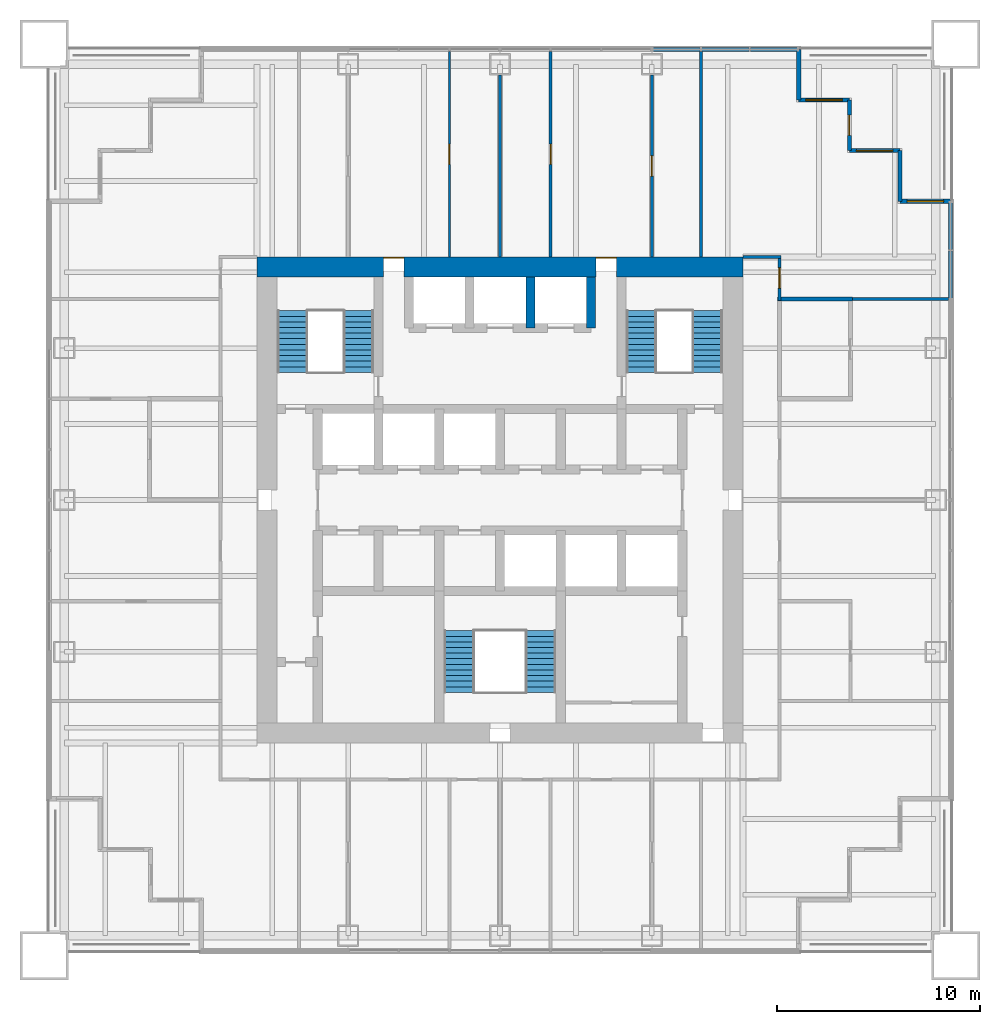
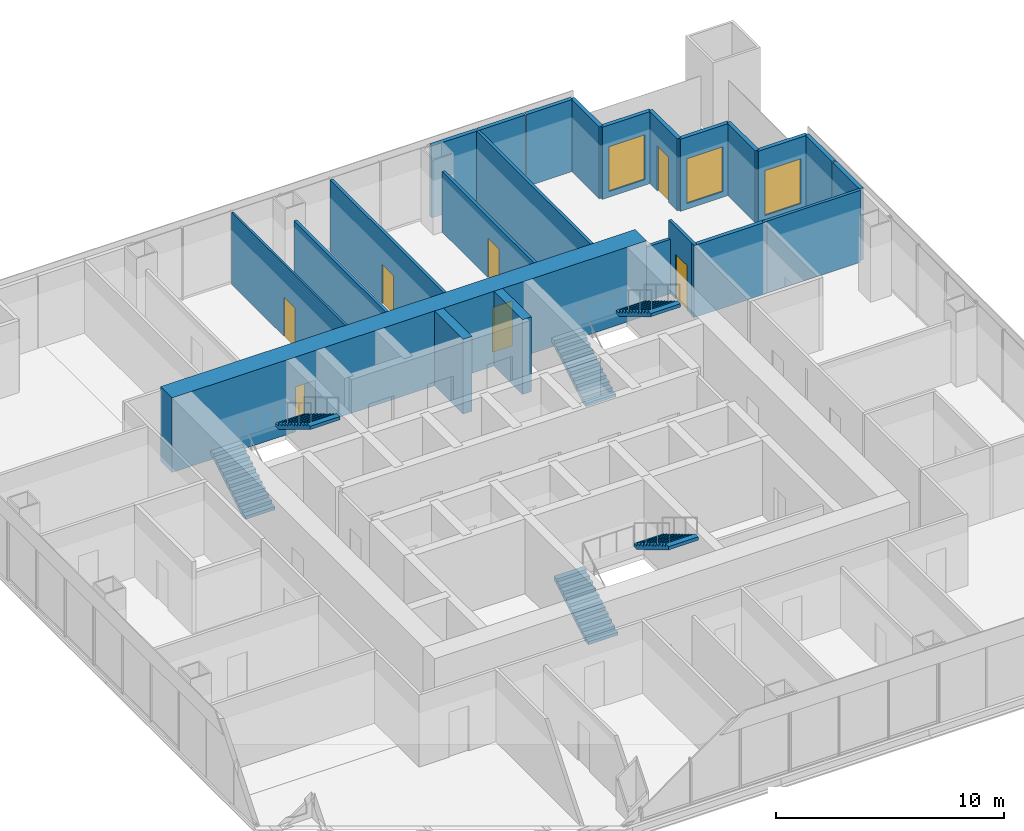
# One storey, part 11 of 13: 23 walls, 7 doors, 6 stair flights, 3 windows, 10 openings, 3 elements without a shape of their own.
"""IFC4 building model written with IfcOpenShell, lengths in metres."""

from ifc_helpers import new_model, si_unit, direction, frame, frame_2d, origin, place, context, subcontext, project, spatial, polyline, rectangle, outline, extrude, material, layer, layer_set, type_object, element, fill, aggregate, save


model = new_model("IFC4")

# Units and contexts
model_context = context("Model", 3, precision=1e-05, world=origin(), true_north=direction((0.0, 1.0)))
body_context = subcontext(model_context, "Body", "Model", "MODEL_VIEW")
ifc_project = project(units=[si_unit("LENGTHUNIT", "METRE"), si_unit("AREAUNIT", "SQUARE_METRE"), si_unit("VOLUMEUNIT", "CUBIC_METRE"), si_unit("PLANEANGLEUNIT", "RADIAN"), si_unit("MASSUNIT", "GRAM", prefix="KILO")], contexts=[model_context])

# Site, building, storey
site_placement = place(None, origin())
site = spatial("IfcSite", under=ifc_project, at=site_placement, CompositionType="ELEMENT")
building_placement = place(site_placement, origin())
building = spatial("IfcBuilding", under=site, at=building_placement, Name="Tarangal Relay Tower", CompositionType="ELEMENT")
storey_placement = place(building_placement, frame((0.0, 0.0, 185.89990234375)))
storey = spatial("IfcBuildingStorey", under=building, at=storey_placement, Name="L38", CompositionType="ELEMENT", Elevation=185.89990234375)

# Walls
ifc_material_1 = material(Name="Two layers gypsum board each side on twin steel studs, mineral wool", Category="steel")
ifc_layer_1 = layer(ifc_material_1, 0.199951171875)
ifc_layer_set_1 = layer_set([ifc_layer_1], Name="Acoustic partition 200")
wall_type_1 = type_object("IfcWallType", Name="Acoustic partition 200", PredefinedType="PARTITIONING", material=ifc_layer_set_1)
wall_1_placement = place(storey_placement, frame((13.699951171875, 9.9169921875, 0.0), z_axis=(0.0, 0.0, 1.0), x_axis=(1.0, 0.0, 0.0)))
element("IfcWall", 1, at=wall_1_placement, inside=storey, type_object=wall_type_1, Name="Partition PT2 L38", PredefinedType="PARTITIONING", context=body_context, shape_type="SweptSolid", body=[
    extrude(rectangle(XDim=3.699951171875, YDim=0.199951171875, at=frame_2d((1.85009765625, 0.0))), origin(), (0.0, 0.0, 1.0), 3.85009765625),
])
ifc_material_2 = material(Name="Concrete fc' 60 MPa", Category="concrete")
ifc_layer_2 = layer(ifc_material_2, 0.449951171875)
ifc_layer_set_2 = layer_set([ifc_layer_2], Name="Core inner wall 450")
wall_type_2 = type_object("IfcWallType", Name="Core inner wall 450", PredefinedType="SHEAR", material=ifc_layer_set_2)
for number, where, z_axis, x_axis, name in (
    (2, (4.5, 8.5, 0.0), (0.0, 0.0, 1.0), (0.0, 1.0, 0.0), "Core wall X45 L38"),
    (3, (1.5, 8.5, 0.0), (0.0, 0.0, 1.0), (0.0, 1.0, 0.0), "Core wall X15 L38"),
):
    element("IfcWall", number, at=place(storey_placement, frame(where, z_axis=z_axis, x_axis=x_axis)), inside=storey, type_object=wall_type_2, Name=name, PredefinedType="SHEAR", context=body_context, shape_type="SweptSolid", body=[
        extrude(rectangle(XDim=2.5, YDim=0.449951171875, at=frame_2d((1.25, 0.0))), origin(), (0.0, 0.0, 1.0), 4.0),
    ])

# Wall, openings, doors
ifc_layer_3 = layer(ifc_material_2, 1.0)
ifc_layer_set_3 = layer_set([ifc_layer_3], Name="Core wall 1000")
wall_type_3 = type_object("IfcWallType", Name="Core wall 1000", PredefinedType="SHEAR", material=ifc_layer_set_3)
wall_2_placement = place(storey_placement, frame((-12.0, 11.5, 0.0), z_axis=(0.0, 0.0, 1.0), x_axis=(1.0, 0.0, 0.0)))
wall_2 = element("IfcWall", 4, at=wall_2_placement, inside=storey, type_object=wall_type_3, Name="Core wall N L38", PredefinedType="SHEAR", context=body_context, shape_type="SweptSolid", body=[
    extrude(rectangle(XDim=24.0, YDim=1.0, at=frame_2d((12.0, 0.0))), origin(), (0.0, 0.0, 1.0), 4.0),
])
opening_1_placement = place(wall_2_placement, frame((6.25, 0.0, 0.0)))
opening_1 = element("IfcOpeningElement", 5, at=opening_1_placement, cuts=wall_2, Name="Opening FD3", PredefinedType="OPENING", context=body_context, shape_type="SweptSolid", body=[
    extrude(rectangle(XDim=1.0, YDim=2.39990234375, at=frame_2d((0.5, 1.199951171875))), frame((0.0, 0.510009765625, 0.0), z_axis=(0.0, -1.0, 0.0), x_axis=(1.0, 0.0, 0.0)), (0.0, 0.0, 1.0), 1.02001953125),
])
opening_2_placement = place(wall_2_placement, frame((16.75, 0.0, 0.0)))
opening_2 = element("IfcOpeningElement", 6, at=opening_2_placement, cuts=wall_2, Name="Opening FD3", PredefinedType="OPENING", context=body_context, shape_type="SweptSolid", body=[
    extrude(rectangle(XDim=1.0, YDim=2.39990234375, at=frame_2d((0.5, 1.199951171875))), frame((0.0, 0.510009765625, 0.0), z_axis=(0.0, -1.0, 0.0), x_axis=(1.0, 0.0, 0.0)), (0.0, 0.0, 1.0), 1.02001953125),
])
ifc_material_3 = material(Name="Steel door with hardwood frame", Category="steel")
door_type_1 = type_object("IfcDoorType", Name="Fire door 1000 x 2400 core entry", OperationType="SINGLE_SWING_RIGHT", PredefinedType="DOOR", material=ifc_material_3)
door_1_placement = place(opening_1_placement, origin())
door_1 = element("IfcDoor", 7, at=door_1_placement, inside=storey, type_object=door_type_1, Name="Core entry door north west L38", OperationType="SINGLE_SWING_RIGHT", OverallHeight=2.39990234375, OverallWidth=1.0, PredefinedType="DOOR", context=body_context, shape_type="SweptSolid", body=[
    extrude(rectangle(XDim=1.0, YDim=2.39990234375, at=frame_2d((0.5, 1.199951171875))), frame((0.0, 0.48486328125, 0.0), z_axis=(0.0, -1.0, 0.0), x_axis=(1.0, 0.0, 0.0)), (0.0, 0.0, 1.0), 0.050048828125),
])
fill(opening_1, door_1)
door_2_placement = place(opening_2_placement, origin())
door_2 = element("IfcDoor", 8, at=door_2_placement, inside=storey, type_object=door_type_1, Name="Core entry door north east L38", OperationType="SINGLE_SWING_RIGHT", OverallHeight=2.39990234375, OverallWidth=1.0, PredefinedType="DOOR", context=body_context, shape_type="SweptSolid", body=[
    extrude(rectangle(XDim=1.0, YDim=2.39990234375, at=frame_2d((0.5, 1.199951171875))), frame((0.0, 0.48486328125, 0.0), z_axis=(0.0, -1.0, 0.0), x_axis=(1.0, 0.0, 0.0)), (0.0, 0.0, 1.0), 0.050048828125),
])
fill(opening_2, door_2)

# Wall
ifc_material_4 = material(Name="Black metal clad insulated wall", Category="steel")
ifc_layer_4 = layer(ifc_material_4, 0.199951171875)
ifc_layer_set_4 = layer_set([ifc_layer_4], Name="Corner wall metal clad 200")
wall_type_4 = type_object("IfcWallType", Name="Corner wall metal clad 200", PredefinedType="SOLIDWALL", material=ifc_layer_set_4)
wall_3_placement = place(storey_placement, frame((14.75, 22.25, 0.0), z_axis=(0.0, 0.0, 1.0), x_axis=(0.0, -1.0, 0.0)))
element("IfcWall", 9, at=wall_3_placement, inside=storey, type_object=wall_type_4, Name="Facade wall N facade L38", PredefinedType="SOLIDWALL", context=body_context, shape_type="SweptSolid", body=[
    extrude(rectangle(XDim=2.5, YDim=0.199951171875, at=frame_2d((1.25, 0.0))), origin(), (0.0, 0.0, 1.0), 3.85009765625),
])

# Wall, opening, window
wall_4_placement = place(storey_placement, frame((14.75, 19.75, 0.0), z_axis=(0.0, 0.0, 1.0), x_axis=(1.0, 0.0, 0.0)))
wall_4 = element("IfcWall", 10, at=wall_4_placement, inside=storey, type_object=wall_type_4, Name="Facade wall N facade L38", PredefinedType="SOLIDWALL", context=body_context, shape_type="SweptSolid", body=[
    extrude(rectangle(XDim=2.5, YDim=0.199951171875, at=frame_2d((1.25, 0.0))), origin(), (0.0, 0.0, 1.0), 3.85009765625),
])
opening_3_placement = place(wall_4_placement, frame((0.35009765625, 0.0, 0.300048828125)))
opening_3 = element("IfcOpeningElement", 11, at=opening_3_placement, cuts=wall_4, Name="Opening WN2", PredefinedType="OPENING", context=body_context, shape_type="SweptSolid", body=[
    extrude(rectangle(XDim=1.800048828125, YDim=2.39990234375, at=frame_2d((0.89990234375, 1.199951171875))), frame((0.0, 0.10986328125, 0.0), z_axis=(0.0, -1.0, 0.0), x_axis=(1.0, 0.0, 0.0)), (0.0, 0.0, 1.0), 0.219970703125),
])
ifc_material_5 = material(Name="Dark tinted double glazing in black aluminium frame", Category="aluminium")
window_type = type_object("IfcWindowType", Name="Corner window 1800 x 2400", PartitioningType="SINGLE_PANEL", PredefinedType="WINDOW", material=ifc_material_5)
window_1_placement = place(opening_3_placement, origin())
window_1 = element("IfcWindow", 12, at=window_1_placement, inside=storey, type_object=window_type, Name="Corner window WN2 N facade L38", OverallHeight=2.39990234375, OverallWidth=1.800048828125, PartitioningType="SINGLE_PANEL", PredefinedType="WINDOW", context=body_context, shape_type="SweptSolid", body=[
    extrude(rectangle(XDim=1.800048828125, YDim=2.39990234375, at=frame_2d((0.89990234375, 1.199951171875))), frame((0.0, 0.030029296875, 0.0), z_axis=(0.0, -1.0, 0.0), x_axis=(1.0, 0.0, 0.0)), (0.0, 0.0, 1.0), 0.06005859375),
])
fill(opening_3, window_1)

# Wall, opening, door
wall_5_placement = place(storey_placement, frame((17.25, 19.75, 0.0), z_axis=(0.0, 0.0, 1.0), x_axis=(0.0, -1.0, 0.0)))
wall_5 = element("IfcWall", 13, at=wall_5_placement, inside=storey, type_object=wall_type_4, Name="Facade wall N facade L38", PredefinedType="SOLIDWALL", context=body_context, shape_type="SweptSolid", body=[
    extrude(rectangle(XDim=2.5, YDim=0.199951171875, at=frame_2d((1.25, 0.0))), origin(), (0.0, 0.0, 1.0), 3.85009765625),
])
opening_4_placement = place(wall_5_placement, frame((0.75, 0.0, 0.0)))
opening_4 = element("IfcOpeningElement", 14, at=opening_4_placement, cuts=wall_5, Name="Opening TD1", PredefinedType="OPENING", context=body_context, shape_type="SweptSolid", body=[
    extrude(rectangle(XDim=1.0, YDim=2.39990234375, at=frame_2d((0.5, 1.199951171875))), frame((0.0, 0.10986328125, 0.0), z_axis=(0.0, -1.0, 0.0), x_axis=(1.0, 0.0, 0.0)), (0.0, 0.0, 1.0), 0.219970703125),
])
ifc_material_6 = material(Name="Aluminium glazed door", Category="aluminium")
door_type_2 = type_object("IfcDoorType", Name="Terrace door 1000 x 2400", OperationType="SINGLE_SWING_RIGHT", PredefinedType="DOOR", material=ifc_material_6)
door_3_placement = place(opening_4_placement, origin())
door_3 = element("IfcDoor", 15, at=door_3_placement, inside=storey, type_object=door_type_2, Name="Terrace door TD1 NE L38", OperationType="SINGLE_SWING_RIGHT", OverallHeight=2.39990234375, OverallWidth=1.0, PredefinedType="DOOR", context=body_context, shape_type="SweptSolid", body=[
    extrude(rectangle(XDim=1.0, YDim=2.39990234375, at=frame_2d((0.5, 1.199951171875))), frame((0.0, 0.02490234375, 0.0), z_axis=(0.0, -1.0, 0.0), x_axis=(1.0, 0.0, 0.0)), (0.0, 0.0, 1.0), 0.050048828125),
])
fill(opening_4, door_3)

# Wall, opening, window
wall_6_placement = place(storey_placement, frame((17.25, 17.25, 0.0), z_axis=(0.0, 0.0, 1.0), x_axis=(1.0, 0.0, 0.0)))
wall_6 = element("IfcWall", 16, at=wall_6_placement, inside=storey, type_object=wall_type_4, Name="Facade wall N facade L38", PredefinedType="SOLIDWALL", context=body_context, shape_type="SweptSolid", body=[
    extrude(rectangle(XDim=2.5, YDim=0.199951171875, at=frame_2d((1.25, 0.0))), origin(), (0.0, 0.0, 1.0), 3.85009765625),
])
opening_5_placement = place(wall_6_placement, frame((0.35009765625, 0.0, 0.300048828125)))
opening_5 = element("IfcOpeningElement", 17, at=opening_5_placement, cuts=wall_6, Name="Opening WN2", PredefinedType="OPENING", context=body_context, shape_type="SweptSolid", body=[
    extrude(rectangle(XDim=1.800048828125, YDim=2.39990234375, at=frame_2d((0.89990234375, 1.199951171875))), frame((0.0, 0.10986328125, 0.0), z_axis=(0.0, -1.0, 0.0), x_axis=(1.0, 0.0, 0.0)), (0.0, 0.0, 1.0), 0.219970703125),
])
window_2_placement = place(opening_5_placement, origin())
window_2 = element("IfcWindow", 18, at=window_2_placement, inside=storey, type_object=window_type, Name="Corner window WN2 N facade L38", OverallHeight=2.39990234375, OverallWidth=1.800048828125, PartitioningType="SINGLE_PANEL", PredefinedType="WINDOW", context=body_context, shape_type="SweptSolid", body=[
    extrude(rectangle(XDim=1.800048828125, YDim=2.39990234375, at=frame_2d((0.89990234375, 1.199951171875))), frame((0.0, 0.030029296875, 0.0), z_axis=(0.0, -1.0, 0.0), x_axis=(1.0, 0.0, 0.0)), (0.0, 0.0, 1.0), 0.06005859375),
])
fill(opening_5, window_2)

# Wall
wall_7_placement = place(storey_placement, frame((19.75, 17.25, 0.0), z_axis=(0.0, 0.0, 1.0), x_axis=(0.0, -1.0, 0.0)))
element("IfcWall", 19, at=wall_7_placement, inside=storey, type_object=wall_type_4, Name="Facade wall N facade L38", PredefinedType="SOLIDWALL", context=body_context, shape_type="SweptSolid", body=[
    extrude(rectangle(XDim=2.5, YDim=0.199951171875, at=frame_2d((1.25, 0.0))), origin(), (0.0, 0.0, 1.0), 3.85009765625),
])

# Wall, opening, window
wall_8_placement = place(storey_placement, frame((19.75, 14.75, 0.0), z_axis=(0.0, 0.0, 1.0), x_axis=(1.0, 0.0, 0.0)))
wall_8 = element("IfcWall", 20, at=wall_8_placement, inside=storey, type_object=wall_type_4, Name="Facade wall N facade L38", PredefinedType="SOLIDWALL", context=body_context, shape_type="SweptSolid", body=[
    extrude(rectangle(XDim=2.5, YDim=0.199951171875, at=frame_2d((1.25, 0.0))), origin(), (0.0, 0.0, 1.0), 3.85009765625),
])
opening_6_placement = place(wall_8_placement, frame((0.35009765625, 0.0, 0.300048828125)))
opening_6 = element("IfcOpeningElement", 21, at=opening_6_placement, cuts=wall_8, Name="Opening WN2", PredefinedType="OPENING", context=body_context, shape_type="SweptSolid", body=[
    extrude(rectangle(XDim=1.800048828125, YDim=2.39990234375, at=frame_2d((0.89990234375, 1.199951171875))), frame((0.0, 0.10986328125, 0.0), z_axis=(0.0, -1.0, 0.0), x_axis=(1.0, 0.0, 0.0)), (0.0, 0.0, 1.0), 0.219970703125),
])
window_3_placement = place(opening_6_placement, origin())
window_3 = element("IfcWindow", 22, at=window_3_placement, inside=storey, type_object=window_type, Name="Corner window WN2 N facade L38", OverallHeight=2.39990234375, OverallWidth=1.800048828125, PartitioningType="SINGLE_PANEL", PredefinedType="WINDOW", context=body_context, shape_type="SweptSolid", body=[
    extrude(rectangle(XDim=1.800048828125, YDim=2.39990234375, at=frame_2d((0.89990234375, 1.199951171875))), frame((0.0, 0.030029296875, 0.0), z_axis=(0.0, -1.0, 0.0), x_axis=(1.0, 0.0, 0.0)), (0.0, 0.0, 1.0), 0.06005859375),
])
fill(opening_6, window_3)

# Walls
ifc_layer_5 = layer(ifc_material_4, 0.199951171875)
ifc_layer_set_5 = layer_set([ifc_layer_5], Name="Facade infill wall metal clad 200")
wall_type_5 = type_object("IfcWallType", Name="Facade infill wall metal clad 200", PredefinedType="SOLIDWALL", material=ifc_layer_set_5)
wall_9_placement = place(storey_placement, frame((7.56494140625, 22.25, 0.0), z_axis=(0.0, 0.0, 1.0), x_axis=(1.0, 0.0, 0.0)))
element("IfcWall", 23, at=wall_9_placement, inside=storey, type_object=wall_type_5, Name="Facade infill wall N facade L38 1.1", PredefinedType="SOLIDWALL", context=body_context, shape_type="SweptSolid", body=[
    extrude(rectangle(XDim=2.3193359375, YDim=0.199951171875, at=frame_2d((1.15966796875, 0.0))), origin(), (0.0, 0.0, 1.0), 3.85009765625),
])
wall_10_placement = place(storey_placement, frame((9.94921875, 22.25, 0.0), z_axis=(0.0, 0.0, 1.0), x_axis=(1.0, 0.0, 0.0)))
element("IfcWall", 24, at=wall_10_placement, inside=storey, type_object=wall_type_5, Name="Facade infill wall N facade L38 2.1", PredefinedType="SOLIDWALL", context=body_context, shape_type="SweptSolid", body=[
    extrude(rectangle(XDim=2.3515625, YDim=0.199951171875, at=frame_2d((1.17578125, 0.0))), origin(), (0.0, 0.0, 1.0), 3.85009765625),
])
for number, where, z_axis, x_axis, name in (
    (25, (12.36572265625, 22.25, 0.0), (0.0, 0.0, 1.0), (1.0, 0.0, 0.0), "Facade infill wall N facade L38 3.1"),
    (26, (22.25, 14.68505859375, 0.0), (0.0, 0.0, 1.0), (0.0, -1.0, 0.0), "Facade infill wall E facade L38 1.1"),
):
    element("IfcWall", number, at=place(storey_placement, frame(where, z_axis=z_axis, x_axis=x_axis)), inside=storey, type_object=wall_type_5, Name=name, PredefinedType="SOLIDWALL", context=body_context, shape_type="SweptSolid", body=[
        extrude(rectangle(XDim=2.3193359375, YDim=0.199951171875, at=frame_2d((1.15966796875, 0.0))), origin(), (0.0, 0.0, 1.0), 3.85009765625),
    ])
wall_11_placement = place(storey_placement, frame((22.25, 12.30078125, 0.0), z_axis=(0.0, 0.0, 1.0), x_axis=(0.0, -1.0, 0.0)))
element("IfcWall", 27, at=wall_11_placement, inside=storey, type_object=wall_type_5, Name="Facade infill wall E facade L38 2.1", PredefinedType="SOLIDWALL", context=body_context, shape_type="SweptSolid", body=[
    extrude(rectangle(XDim=2.3515625, YDim=0.199951171875, at=frame_2d((1.17578125, 0.0))), origin(), (0.0, 0.0, 1.0), 3.85009765625),
])

# Wall, opening, door
ifc_material_7 = material(Name="Double glazed aluminium framed partition", Category="aluminium")
ifc_layer_6 = layer(ifc_material_7, 0.10009765625)
ifc_layer_set_6 = layer_set([ifc_layer_6], Name="Glazed partition 100")
wall_type_6 = type_object("IfcWallType", Name="Glazed partition 100", PredefinedType="PARTITIONING", material=ifc_layer_set_6)
wall_12_placement = place(storey_placement, frame((-2.5, 12.0, 0.0), z_axis=(0.0, 0.0, 1.0), x_axis=(0.0, 1.0, 0.0)))
wall_12 = element("IfcWall", 28, at=wall_12_placement, inside=storey, type_object=wall_type_6, Name="Partition PT3 L38", PredefinedType="PARTITIONING", context=body_context, shape_type="SweptSolid", body=[
    extrude(rectangle(XDim=10.14990234375, YDim=0.10009765625, at=frame_2d((5.074951171875, 0.0))), origin(), (0.0, 0.0, 1.0), 3.85009765625),
])
opening_7_placement = place(wall_12_placement, frame((4.574951171875, 0.0, 0.0)))
opening_7 = element("IfcOpeningElement", 29, at=opening_7_placement, cuts=wall_12, Name="Opening D3", PredefinedType="OPENING", context=body_context, shape_type="SweptSolid", body=[
    extrude(rectangle(XDim=1.0, YDim=2.10009765625, at=frame_2d((0.5, 1.050048828125))), frame((0.0, 0.06005859375, 0.0), z_axis=(0.0, -1.0, 0.0), x_axis=(1.0, 0.0, 0.0)), (0.0, 0.0, 1.0), 0.1201171875),
])
ifc_material_8 = material(Name="Frameless glass door", Category="glass")
door_type_3 = type_object("IfcDoorType", Name="Glazed door 1000 x 2100", OperationType="SINGLE_SWING_LEFT", PredefinedType="DOOR", material=ifc_material_8)
door_4_placement = place(opening_7_placement, origin())
door_4 = element("IfcDoor", 30, at=door_4_placement, inside=storey, type_object=door_type_3, Name="Door D3 to meeting room L38-04", OperationType="SINGLE_SWING_LEFT", OverallHeight=2.10009765625, OverallWidth=1.0, PredefinedType="DOOR", context=body_context, shape_type="SweptSolid", body=[
    extrude(rectangle(XDim=1.0, YDim=2.10009765625, at=frame_2d((0.5, 1.050048828125))), frame((0.0, 0.02490234375, 0.0), z_axis=(0.0, -1.0, 0.0), x_axis=(1.0, 0.0, 0.0)), (0.0, 0.0, 1.0), 0.050048828125),
])
fill(opening_7, door_4)

# Walls
ifc_material_9 = material(Name="Gypsum board on steel studs", Category="steel")
ifc_layer_7 = layer(ifc_material_9, 0.14990234375)
ifc_layer_set_7 = layer_set([ifc_layer_7], Name="Partition 150")
wall_type_7 = type_object("IfcWallType", Name="Partition 150", PredefinedType="PARTITIONING", material=ifc_layer_set_7)
wall_13_placement = place(storey_placement, frame((17.22509765625, 9.9169921875, 0.0), z_axis=(0.0, 0.0, 1.0), x_axis=(1.0, 0.0, 0.0)))
element("IfcWall", 31, at=wall_13_placement, inside=storey, type_object=wall_type_7, Name="Partition PT1 L38", PredefinedType="PARTITIONING", context=body_context, shape_type="SweptSolid", body=[
    extrude(rectangle(XDim=4.9248046875, YDim=0.14990234375, at=frame_2d((2.46240234375, 0.0))), origin(), (0.0, 0.0, 1.0), 3.85009765625),
])
wall_14_placement = place(storey_placement, frame((12.0, 12.0, 0.0), z_axis=(0.0, 0.0, 1.0), x_axis=(1.0, 0.0, 0.0)))
element("IfcWall", 32, at=wall_14_placement, inside=storey, type_object=wall_type_7, Name="Partition PT1 L38", PredefinedType="PARTITIONING", context=body_context, shape_type="SweptSolid", body=[
    extrude(rectangle(XDim=1.875, YDim=0.14990234375, at=frame_2d((0.9375, 0.0))), origin(), (0.0, 0.0, 1.0), 2.907958984375),
])
wall_15_placement = place(storey_placement, frame((0.0, 12.0, 0.0), z_axis=(0.0, 0.0, 1.0), x_axis=(0.0, 1.0, 0.0)))
element("IfcWall", 33, at=wall_15_placement, inside=storey, type_object=wall_type_7, Name="Partition PT1 L38", PredefinedType="PARTITIONING", context=body_context, shape_type="SweptSolid", body=[
    extrude(rectangle(XDim=8.989990234375, YDim=0.14990234375, at=frame_2d((4.4951171875, 0.0))), origin(), (0.0, 0.0, 1.0), 3.238037109375),
])

# Wall, opening, door
wall_16_placement = place(storey_placement, frame((2.5, 12.0, 0.0), z_axis=(0.0, 0.0, 1.0), x_axis=(0.0, 1.0, 0.0)))
wall_16 = element("IfcWall", 34, at=wall_16_placement, inside=storey, type_object=wall_type_7, Name="Partition PT1 L38", PredefinedType="PARTITIONING", context=body_context, shape_type="SweptSolid", body=[
    extrude(rectangle(XDim=10.14990234375, YDim=0.14990234375, at=frame_2d((5.074951171875, 0.0))), origin(), (0.0, 0.0, 1.0), 3.85009765625),
])
opening_8_placement = place(wall_16_placement, frame((4.574951171875, 0.0, 0.0)))
opening_8 = element("IfcOpeningElement", 35, at=opening_8_placement, cuts=wall_16, Name="Opening D2", PredefinedType="OPENING", context=body_context, shape_type="SweptSolid", body=[
    extrude(rectangle(XDim=1.0, YDim=2.10009765625, at=frame_2d((0.5, 1.050048828125))), frame((0.0, 0.0849609375, 0.0), z_axis=(0.0, -1.0, 0.0), x_axis=(1.0, 0.0, 0.0)), (0.0, 0.0, 1.0), 0.169921875),
])
ifc_material_10 = material(Name="Hardwood door", Category="wood")
door_type_4 = type_object("IfcDoorType", Name="Door 1000 x 2100", OperationType="SINGLE_SWING_LEFT", PredefinedType="DOOR", material=ifc_material_10)
door_5_placement = place(opening_8_placement, origin())
door_5 = element("IfcDoor", 36, at=door_5_placement, inside=storey, type_object=door_type_4, Name="Door D2 to cellular office L38-05", OperationType="SINGLE_SWING_LEFT", OverallHeight=2.10009765625, OverallWidth=1.0, PredefinedType="DOOR", context=body_context, shape_type="SweptSolid", body=[
    extrude(rectangle(XDim=1.0, YDim=2.10009765625, at=frame_2d((0.5, 1.050048828125))), frame((0.0, 0.02490234375, 0.0), z_axis=(0.0, -1.0, 0.0), x_axis=(1.0, 0.0, 0.0)), (0.0, 0.0, 1.0), 0.050048828125),
])
fill(opening_8, door_5)

wall_17_placement = place(storey_placement, frame((7.5, 12.0, 0.0), z_axis=(0.0, 0.0, 1.0), x_axis=(0.0, 1.0, 0.0)))
wall_17 = element("IfcWall", 37, at=wall_17_placement, inside=storey, type_object=wall_type_7, Name="Partition PT1 L38", PredefinedType="PARTITIONING", context=body_context, shape_type="SweptSolid", body=[
    extrude(rectangle(XDim=8.989990234375, YDim=0.14990234375, at=frame_2d((4.4951171875, 0.0))), origin(), (0.0, 0.0, 1.0), 3.238037109375),
])
opening_9_placement = place(wall_17_placement, frame((3.9951171875, 0.0, 0.0)))
opening_9 = element("IfcOpeningElement", 38, at=opening_9_placement, cuts=wall_17, Name="Opening D2", PredefinedType="OPENING", context=body_context, shape_type="SweptSolid", body=[
    extrude(rectangle(XDim=1.0, YDim=2.10009765625, at=frame_2d((0.5, 1.050048828125))), frame((0.0, 0.0849609375, 0.0), z_axis=(0.0, -1.0, 0.0), x_axis=(1.0, 0.0, 0.0)), (0.0, 0.0, 1.0), 0.169921875),
])
door_6_placement = place(opening_9_placement, origin())
door_6 = element("IfcDoor", 39, at=door_6_placement, inside=storey, type_object=door_type_4, Name="Door D2 to cellular office L38-07", OperationType="SINGLE_SWING_LEFT", OverallHeight=2.10009765625, OverallWidth=1.0, PredefinedType="DOOR", context=body_context, shape_type="SweptSolid", body=[
    extrude(rectangle(XDim=1.0, YDim=2.10009765625, at=frame_2d((0.5, 1.050048828125))), frame((0.0, 0.02490234375, 0.0), z_axis=(0.0, -1.0, 0.0), x_axis=(1.0, 0.0, 0.0)), (0.0, 0.0, 1.0), 0.050048828125),
])
fill(opening_9, door_6)

# Wall
wall_18_placement = place(storey_placement, frame((9.9169921875, 12.0, 0.0), z_axis=(0.0, 0.0, 1.0), x_axis=(0.0, 1.0, 0.0)))
element("IfcWall", 40, at=wall_18_placement, inside=storey, type_object=wall_type_7, Name="Partition PT1 L38", PredefinedType="PARTITIONING", context=body_context, shape_type="SweptSolid", body=[
    extrude(rectangle(XDim=10.14990234375, YDim=0.14990234375, at=frame_2d((5.074951171875, 0.0))), origin(), (0.0, 0.0, 1.0), 3.85009765625),
])

# Wall, opening, door
wall_19_placement = place(storey_placement, frame((13.800048828125, 9.842041015625, 0.0), z_axis=(0.0, 0.0, 1.0), x_axis=(0.0, 1.0, 0.0)))
wall_19 = element("IfcWall", 41, at=wall_19_placement, inside=storey, type_object=wall_type_7, Name="Partition PT1 L38", PredefinedType="PARTITIONING", context=body_context, shape_type="SweptSolid", body=[
    extrude(rectangle(XDim=2.23291015625, YDim=0.14990234375, at=frame_2d((1.116455078125, 0.0))), origin(), (0.0, 0.0, 1.0), 3.85009765625),
])
opening_10_placement = place(wall_19_placement, frame((0.616455078125, 0.0, 0.0)))
opening_10 = element("IfcOpeningElement", 42, at=opening_10_placement, cuts=wall_19, Name="Opening SD1", PredefinedType="OPENING", context=body_context, shape_type="SweptSolid", body=[
    extrude(rectangle(XDim=1.0, YDim=2.39990234375, at=frame_2d((0.5, 1.199951171875))), frame((0.0, 0.0849609375, 0.0), z_axis=(0.0, -1.0, 0.0), x_axis=(1.0, 0.0, 0.0)), (0.0, 0.0, 1.0), 0.169921875),
])
door_type_5 = type_object("IfcDoorType", Name="Suite entrance door 1000 x 2400", OperationType="SINGLE_SWING_RIGHT", PredefinedType="DOOR", material=ifc_material_3)
door_7_placement = place(opening_10_placement, origin())
door_7 = element("IfcDoor", 43, at=door_7_placement, inside=storey, type_object=door_type_5, Name="Door SD1 to open plan office L38-22", OperationType="SINGLE_SWING_RIGHT", OverallHeight=2.39990234375, OverallWidth=1.0, PredefinedType="DOOR", context=body_context, shape_type="SweptSolid", body=[
    extrude(rectangle(XDim=1.0, YDim=2.39990234375, at=frame_2d((0.5, 1.199951171875))), frame((0.0, 0.02490234375, 0.0), z_axis=(0.0, -1.0, 0.0), x_axis=(1.0, 0.0, 0.0)), (0.0, 0.0, 1.0), 0.050048828125),
])
fill(opening_10, door_7)

# Stair, stair flights
ifc_material_11 = material(Name="Steel ASTM A992 stair flight", Category="steel")
stair_type = type_object("IfcStairType", Name="Core stair 1500", PredefinedType="HALF_TURN_STAIR", material=ifc_material_11)
stair_1_placement = place(storey_placement, origin())
stair_1 = element("IfcStair", 44, at=stair_1_placement, inside=storey, type_object=stair_type, Name="Stair ST-A L38", PredefinedType="HALF_TURN_STAIR")
stair_flight_type = type_object("IfcStairFlightType", Name="Steel stair flight 1500, 12 risers 167 x 277", PredefinedType="STRAIGHT", material=ifc_material_11)
stair_flight_1_placement = place(storey_placement, frame((-10.25, 6.300048828125, 0.0), z_axis=(0.0, 0.0, 1.0), x_axis=(0.0, 1.0, 0.0)))
stair_flight_1 = element("IfcStairFlight", 45, at=stair_flight_1_placement, type_object=stair_flight_type, Name="ST-A flight 1", NumberOfRisers=12, NumberOfTreads=11, PredefinedType="STRAIGHT", RiserHeight=0.166666667, TreadLength=0.277, context=body_context, shape_type="SweptSolid", body=[
    extrude(outline(polyline([(0.0, 0.0), (0.0, 0.166748046875), (0.277099609375, 0.166748046875), (0.277099609375, 0.333251953125), (0.553955078125, 0.333251953125), (0.553955078125, 0.5), (0.8310546875, 0.5), (0.8310546875, 0.666748046875), (1.10791015625, 0.666748046875), (1.10791015625, 0.833251953125), (1.385009765625, 0.833251953125), (1.385009765625, 1.0), (1.662109375, 1.0), (1.662109375, 1.166748046875), (1.93896484375, 1.166748046875), (1.93896484375, 1.333251953125), (2.216064453125, 1.333251953125), (2.216064453125, 1.5), (2.492919921875, 1.5), (2.492919921875, 1.666748046875), (2.77001953125, 1.666748046875), (2.77001953125, 1.833251953125), (3.047119140625, 1.833251953125), (3.047119140625, 2.0), (3.047119140625, 1.658447265625), (0.290771484375, 0.0), (0.0, 0.0)])), frame((0.0, 0.75, 0.0), z_axis=(0.0, -1.0, 0.0), x_axis=(1.0, 0.0, 0.0)), (0.0, 0.0, 1.0), 1.5),
])
stair_flight_2_placement = place(storey_placement, frame((-6.97509765625, 9.346923828125, 2.0), z_axis=(0.0, 0.0, 1.0), x_axis=(0.0, -1.0, 0.0)))
stair_flight_2 = element("IfcStairFlight", 46, at=stair_flight_2_placement, type_object=stair_flight_type, Name="ST-A flight 2", NumberOfRisers=12, NumberOfTreads=11, PredefinedType="STRAIGHT", RiserHeight=0.166666667, TreadLength=0.277, context=body_context, shape_type="SweptSolid", body=[
    extrude(outline(polyline([(0.0, 0.0), (0.0, 0.166748046875), (0.277099609375, 0.166748046875), (0.277099609375, 0.333251953125), (0.553955078125, 0.333251953125), (0.553955078125, 0.5), (0.8310546875, 0.5), (0.8310546875, 0.666748046875), (1.10791015625, 0.666748046875), (1.10791015625, 0.833251953125), (1.385009765625, 0.833251953125), (1.385009765625, 1.0), (1.662109375, 1.0), (1.662109375, 1.166748046875), (1.93896484375, 1.166748046875), (1.93896484375, 1.333251953125), (2.216064453125, 1.333251953125), (2.216064453125, 1.5), (2.492919921875, 1.5), (2.492919921875, 1.666748046875), (2.77001953125, 1.666748046875), (2.77001953125, 1.833251953125), (3.047119140625, 1.833251953125), (3.047119140625, 2.0), (3.047119140625, 1.658447265625), (0.290771484375, 0.0), (0.0, 0.0)])), frame((0.0, 0.75, 0.0), z_axis=(0.0, -1.0, 0.0), x_axis=(1.0, 0.0, 0.0)), (0.0, 0.0, 1.0), 1.5),
])
aggregate(stair_1, [stair_flight_1, stair_flight_2])

stair_2_placement = place(storey_placement, origin())
stair_2 = element("IfcStair", 47, at=stair_2_placement, inside=storey, type_object=stair_type, Name="Stair ST-B L38", PredefinedType="HALF_TURN_STAIR")
stair_flight_3_placement = place(storey_placement, frame((6.97509765625, 6.300048828125, 0.0), z_axis=(0.0, 0.0, 1.0), x_axis=(0.0, 1.0, 0.0)))
stair_flight_3 = element("IfcStairFlight", 48, at=stair_flight_3_placement, type_object=stair_flight_type, Name="ST-B flight 1", NumberOfRisers=12, NumberOfTreads=11, PredefinedType="STRAIGHT", RiserHeight=0.166666667, TreadLength=0.277, context=body_context, shape_type="SweptSolid", body=[
    extrude(outline(polyline([(0.0, 0.0), (0.0, 0.166748046875), (0.277099609375, 0.166748046875), (0.277099609375, 0.333251953125), (0.553955078125, 0.333251953125), (0.553955078125, 0.5), (0.8310546875, 0.5), (0.8310546875, 0.666748046875), (1.10791015625, 0.666748046875), (1.10791015625, 0.833251953125), (1.385009765625, 0.833251953125), (1.385009765625, 1.0), (1.662109375, 1.0), (1.662109375, 1.166748046875), (1.93896484375, 1.166748046875), (1.93896484375, 1.333251953125), (2.216064453125, 1.333251953125), (2.216064453125, 1.5), (2.492919921875, 1.5), (2.492919921875, 1.666748046875), (2.77001953125, 1.666748046875), (2.77001953125, 1.833251953125), (3.047119140625, 1.833251953125), (3.047119140625, 2.0), (3.047119140625, 1.658447265625), (0.290771484375, 0.0), (0.0, 0.0)])), frame((0.0, 0.75, 0.0), z_axis=(0.0, -1.0, 0.0), x_axis=(1.0, 0.0, 0.0)), (0.0, 0.0, 1.0), 1.5),
])
stair_flight_4_placement = place(storey_placement, frame((10.25, 9.346923828125, 2.0), z_axis=(0.0, 0.0, 1.0), x_axis=(0.0, -1.0, 0.0)))
stair_flight_4 = element("IfcStairFlight", 49, at=stair_flight_4_placement, type_object=stair_flight_type, Name="ST-B flight 2", NumberOfRisers=12, NumberOfTreads=11, PredefinedType="STRAIGHT", RiserHeight=0.166666667, TreadLength=0.277, context=body_context, shape_type="SweptSolid", body=[
    extrude(outline(polyline([(0.0, 0.0), (0.0, 0.166748046875), (0.277099609375, 0.166748046875), (0.277099609375, 0.333251953125), (0.553955078125, 0.333251953125), (0.553955078125, 0.5), (0.8310546875, 0.5), (0.8310546875, 0.666748046875), (1.10791015625, 0.666748046875), (1.10791015625, 0.833251953125), (1.385009765625, 0.833251953125), (1.385009765625, 1.0), (1.662109375, 1.0), (1.662109375, 1.166748046875), (1.93896484375, 1.166748046875), (1.93896484375, 1.333251953125), (2.216064453125, 1.333251953125), (2.216064453125, 1.5), (2.492919921875, 1.5), (2.492919921875, 1.666748046875), (2.77001953125, 1.666748046875), (2.77001953125, 1.833251953125), (3.047119140625, 1.833251953125), (3.047119140625, 2.0), (3.047119140625, 1.658447265625), (0.290771484375, 0.0), (0.0, 0.0)])), frame((0.0, 0.75, 0.0), z_axis=(0.0, -1.0, 0.0), x_axis=(1.0, 0.0, 0.0)), (0.0, 0.0, 1.0), 1.5),
])
aggregate(stair_2, [stair_flight_3, stair_flight_4])

stair_3_placement = place(storey_placement, origin())
stair_3 = element("IfcStair", 50, at=stair_3_placement, inside=storey, type_object=stair_type, Name="Stair ST-C L38", PredefinedType="HALF_TURN_STAIR")
stair_flight_5_placement = place(storey_placement, frame((-2.02490234375, -9.5, 0.0), z_axis=(0.0, 0.0, 1.0), x_axis=(0.0, 1.0, 0.0)))
stair_flight_5 = element("IfcStairFlight", 51, at=stair_flight_5_placement, type_object=stair_flight_type, Name="ST-C flight 1", NumberOfRisers=12, NumberOfTreads=11, PredefinedType="STRAIGHT", RiserHeight=0.166666667, TreadLength=0.277, context=body_context, shape_type="SweptSolid", body=[
    extrude(outline(polyline([(0.0, 0.0), (0.0, 0.166748046875), (0.277099609375, 0.166748046875), (0.277099609375, 0.333251953125), (0.553955078125, 0.333251953125), (0.553955078125, 0.5), (0.8310546875, 0.5), (0.8310546875, 0.666748046875), (1.10791015625, 0.666748046875), (1.10791015625, 0.833251953125), (1.385009765625, 0.833251953125), (1.385009765625, 1.0), (1.662109375, 1.0), (1.662109375, 1.166748046875), (1.93896484375, 1.166748046875), (1.93896484375, 1.333251953125), (2.216064453125, 1.333251953125), (2.216064453125, 1.5), (2.492919921875, 1.5), (2.492919921875, 1.666748046875), (2.77001953125, 1.666748046875), (2.77001953125, 1.833251953125), (3.047119140625, 1.833251953125), (3.047119140625, 2.0), (3.047119140625, 1.658447265625), (0.290771484375, 0.0), (0.0, 0.0)])), frame((0.0, 0.75, 0.0), z_axis=(0.0, -1.0, 0.0), x_axis=(1.0, 0.0, 0.0)), (0.0, 0.0, 1.0), 1.5),
])
stair_flight_6_placement = place(storey_placement, frame((2.02490234375, -6.452880859375, 2.0), z_axis=(0.0, 0.0, 1.0), x_axis=(0.0, -1.0, 0.0)))
stair_flight_6 = element("IfcStairFlight", 52, at=stair_flight_6_placement, type_object=stair_flight_type, Name="ST-C flight 2", NumberOfRisers=12, NumberOfTreads=11, PredefinedType="STRAIGHT", RiserHeight=0.166666667, TreadLength=0.277, context=body_context, shape_type="SweptSolid", body=[
    extrude(outline(polyline([(0.0, 0.0), (0.0, 0.166748046875), (0.277099609375, 0.166748046875), (0.277099609375, 0.333251953125), (0.553955078125, 0.333251953125), (0.553955078125, 0.5), (0.8310546875, 0.5), (0.8310546875, 0.666748046875), (1.10791015625, 0.666748046875), (1.10791015625, 0.833251953125), (1.385009765625, 0.833251953125), (1.385009765625, 1.0), (1.662109375, 1.0), (1.662109375, 1.166748046875), (1.93896484375, 1.166748046875), (1.93896484375, 1.333251953125), (2.216064453125, 1.333251953125), (2.216064453125, 1.5), (2.492919921875, 1.5), (2.492919921875, 1.666748046875), (2.77001953125, 1.666748046875), (2.77001953125, 1.833251953125), (3.047119140625, 1.833251953125), (3.047119140625, 2.0), (3.047119140625, 1.658447265625), (0.290771484375, 0.0), (0.0, 0.0)])), frame((0.0, 0.75, 0.0), z_axis=(0.0, -1.0, 0.0), x_axis=(1.0, 0.0, 0.0)), (0.0, 0.0, 1.0), 1.5),
])
aggregate(stair_3, [stair_flight_5, stair_flight_6])

save(model, "model.ifc")
